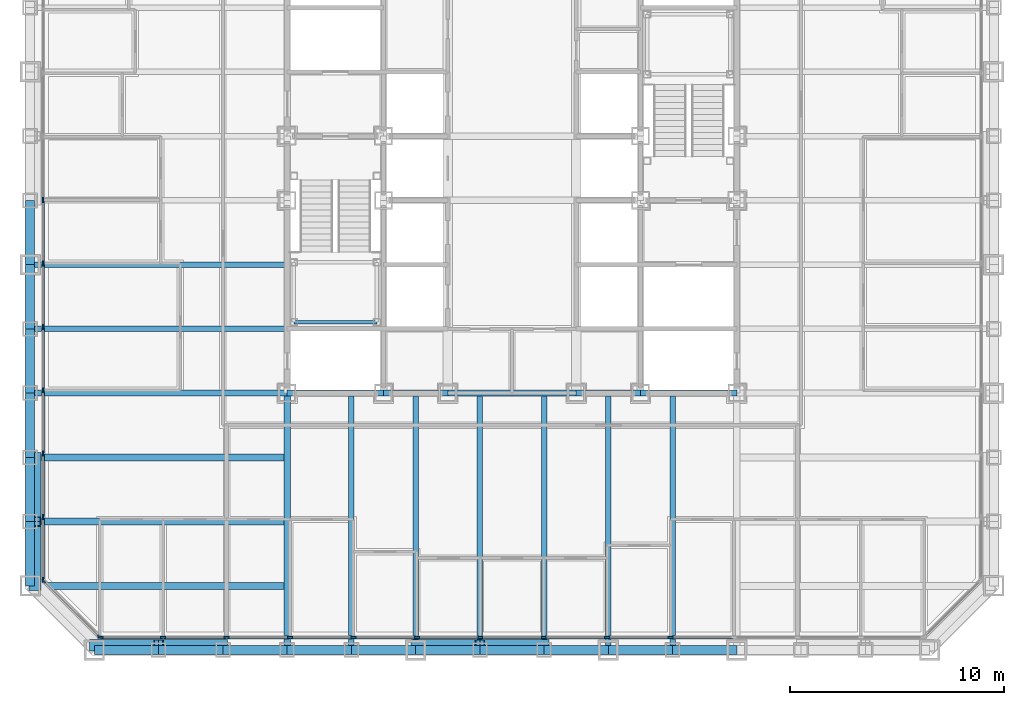
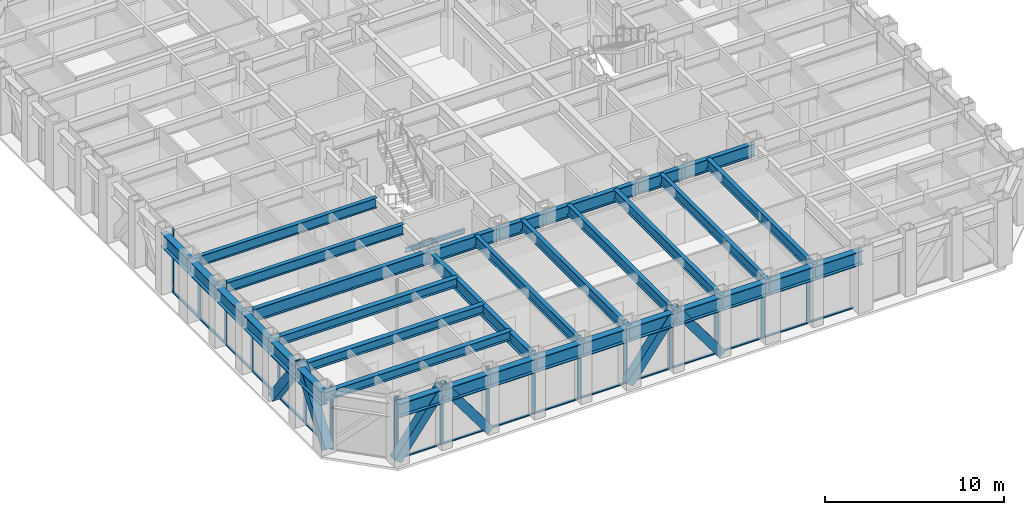
# One storey, part 2 of 16: 41 members, 35 beams, 3 elements without a shape of their own.
"""IFC4 building model written with IfcOpenShell, lengths in metres."""

from ifc_helpers import new_model, si_unit, direction, frame, origin, origin_2d, place, context, subcontext, project, spatial, rectangle, hollow_rectangle, i_section, extrude, material, layer, layer_set, material_profile, profile_set, type_object, element, aggregate, save


model = new_model("IFC4")

# Units and contexts
model_context = context("Model", 3, precision=1e-05, world=origin(), true_north=direction((0.0, 1.0)))
body_context = subcontext(model_context, "Body", "Model", "MODEL_VIEW")
ifc_project = project(units=[si_unit("LENGTHUNIT", "METRE"), si_unit("AREAUNIT", "SQUARE_METRE"), si_unit("VOLUMEUNIT", "CUBIC_METRE"), si_unit("PLANEANGLEUNIT", "RADIAN"), si_unit("MASSUNIT", "GRAM", prefix="KILO")], contexts=[model_context])

# Site, building, storey
site_placement = place(None, origin())
site = spatial("IfcSite", under=ifc_project, at=site_placement, CompositionType="ELEMENT")
building_placement = place(site_placement, origin())
building = spatial("IfcBuilding", under=site, at=building_placement, Name="Chuquiago Exchange Tower", CompositionType="ELEMENT")
storey_placement = place(building_placement, frame((0.0, 0.0, 82.800048828125)))
storey = spatial("IfcBuildingStorey", under=building, at=storey_placement, Name="L17", CompositionType="ELEMENT", Elevation=82.800048828125)

# Beams
ifc_material_1 = material(Name="Steel ASTM A992", Category="steel")
ifc_material_profile_1 = material_profile(ifc_material_1, i_section(OverallWidth=0.2919921875, OverallDepth=0.8583984375, WebThickness=0.01708984375, FlangeThickness=0.031005859375, at=origin_2d()), Name="W33X169")
ifc_profile_set_1 = profile_set([ifc_material_profile_1], Name="Steel ASTM A992")
beam_type_1 = type_object("IfcBeamType", Name="B3 W33X169", PredefinedType="BEAM", material=ifc_profile_set_1)
beam_1_placement = place(storey_placement, frame((12.0, 12.0, 3.610595703125), z_axis=(1.0, 0.0, 0.0), x_axis=(0.0, 1.0, 0.0)))
element("IfcBeam", 1, at=beam_1_placement, inside=storey, type_object=beam_type_1, Name="CB-L18-12_12-16.5_12", PredefinedType="BEAM", context=body_context, shape_type="SweptSolid", body=[
    extrude(i_section(OverallWidth=0.2919921875, OverallDepth=0.8583984375, WebThickness=0.01708984375, FlangeThickness=0.031005859375, at=origin_2d()), origin(), (0.0, 0.0, 1.0), 4.5),
])
beam_2_placement = place(storey_placement, frame((16.5, 12.0, 3.610595703125), z_axis=(1.0, 0.0, 0.0), x_axis=(0.0, 1.0, 0.0)))
element("IfcBeam", 2, at=beam_2_placement, inside=storey, type_object=beam_type_1, Name="CB-L18-16.5_12-19.5_12", PredefinedType="BEAM", context=body_context, shape_type="SweptSolid", body=[
    extrude(i_section(OverallWidth=0.2919921875, OverallDepth=0.8583984375, WebThickness=0.01708984375, FlangeThickness=0.031005859375, at=origin_2d()), origin(), (0.0, 0.0, 1.0), 3.0),
])
beam_3_placement = place(storey_placement, frame((19.5, 12.0, 3.610595703125), z_axis=(1.0, 0.0, 0.0), x_axis=(0.0, 1.0, 0.0)))
element("IfcBeam", 3, at=beam_3_placement, inside=storey, type_object=beam_type_1, Name="CB-L18-19.5_12-25.5_12", PredefinedType="BEAM", context=body_context, shape_type="SweptSolid", body=[
    extrude(i_section(OverallWidth=0.2919921875, OverallDepth=0.8583984375, WebThickness=0.01708984375, FlangeThickness=0.031005859375, at=origin_2d()), origin(), (0.0, 0.0, 1.0), 6.0),
])
beam_4_placement = place(storey_placement, frame((25.5, 12.0, 3.610595703125), z_axis=(1.0, 0.0, 0.0), x_axis=(0.0, 1.0, 0.0)))
element("IfcBeam", 4, at=beam_4_placement, inside=storey, type_object=beam_type_1, Name="CB-L18-25.5_12-28.5_12", PredefinedType="BEAM", context=body_context, shape_type="SweptSolid", body=[
    extrude(i_section(OverallWidth=0.2919921875, OverallDepth=0.8583984375, WebThickness=0.01708984375, FlangeThickness=0.031005859375, at=origin_2d()), origin(), (0.0, 0.0, 1.0), 3.0),
])
beam_5_placement = place(storey_placement, frame((28.5, 12.0, 3.610595703125), z_axis=(1.0, 0.0, 0.0), x_axis=(0.0, 1.0, 0.0)))
element("IfcBeam", 5, at=beam_5_placement, inside=storey, type_object=beam_type_1, Name="CB-L18-28.5_12-33_12", PredefinedType="BEAM", context=body_context, shape_type="SweptSolid", body=[
    extrude(i_section(OverallWidth=0.2919921875, OverallDepth=0.8583984375, WebThickness=0.01708984375, FlangeThickness=0.031005859375, at=origin_2d()), origin(), (0.0, 0.0, 1.0), 4.5),
])
ifc_material_2 = material(Name="Steel ASTM A992", Category="steel")
ifc_material_profile_2 = material_profile(ifc_material_2, i_section(OverallWidth=0.256591796875, OverallDepth=0.693359375, WebThickness=0.014404296875, FlangeThickness=0.023681640625, at=origin_2d()), Name="W27X114")
ifc_profile_set_2 = profile_set([ifc_material_profile_2], Name="Steel ASTM A992")
beam_type_2 = type_object("IfcBeamType", Name="B4 W27X114", PredefinedType="BEAM", material=ifc_profile_set_2)
for number, where, z_axis, x_axis, name in (
    (6, (15.0, 12.0, 3.693359375), (0.0, -1.0, 0.0), (1.0, 0.0, 0.0), "FB-L18-infill-15_12-15_-0-0"),
    (7, (18.0, 12.0, 3.693359375), (0.0, -1.0, 0.0), (1.0, 0.0, 0.0), "FB-L18-infill-18_12-18_-0-0"),
    (8, (21.0, 12.0, 3.693359375), (0.0, -1.0, 0.0), (1.0, 0.0, 0.0), "FB-L18-infill-21_12-21_-0-0"),
    (9, (24.0, 12.0, 3.693359375), (0.0, -1.0, 0.0), (1.0, 0.0, 0.0), "FB-L18-infill-24_12-24_-0-0"),
    (10, (27.0, 12.0, 3.693359375), (0.0, -1.0, 0.0), (1.0, 0.0, 0.0), "FB-L18-infill-27_12-27_-0-0"),
    (11, (30.0, 12.0, 3.693359375), (0.0, -1.0, 0.0), (1.0, 0.0, 0.0), "FB-L18-infill-30_12-30_-0-0"),
    (12, (12.0, 15.0, 3.693359375), (-1.0, 0.0, 0.0), (0.0, -1.0, 0.0), "FB-L18-infill-12_15--0_15-0"),
    (13, (12.0, 18.0, 3.693359375), (-1.0, 0.0, 0.0), (0.0, -1.0, 0.0), "FB-L18-infill-12_18--0_18-0"),
):
    element("IfcBeam", number, at=place(storey_placement, frame(where, z_axis=z_axis, x_axis=x_axis)), inside=storey, type_object=beam_type_2, Name=name, PredefinedType="BEAM", context=body_context, shape_type="SweptSolid", body=[
        extrude(i_section(OverallWidth=0.256591796875, OverallDepth=0.693359375, WebThickness=0.014404296875, FlangeThickness=0.023681640625, at=origin_2d()), origin(), (0.0, 0.0, 1.0), 12.0),
    ])
ifc_material_3 = material(Name="Steel ASTM A992", Category="steel")
ifc_material_profile_3 = material_profile(ifc_material_3, i_section(OverallWidth=0.3251953125, OverallDepth=0.6171875, WebThickness=0.013916015625, FlangeThickness=0.021484375, at=origin_2d()), Name="W24X117")
ifc_profile_set_3 = profile_set([ifc_material_profile_3], Name="Steel ASTM A992")
beam_type_3 = type_object("IfcBeamType", Name="B5 W24X117", PredefinedType="BEAM", material=ifc_profile_set_3)
for number, where, z_axis, x_axis, name in (
    (14, (12.0, 3.0, 3.7314453125), (-1.0, 0.0, 0.0), (0.0, -1.0, 0.0), "FB-L18-corner-12_3--0_3-0"),
    (15, (12.0, 6.0, 3.7314453125), (-1.0, 0.0, 0.0), (0.0, -1.0, 0.0), "FB-L18-corner-12_6--0_6-0"),
    (16, (12.0, 9.0, 3.7314453125), (-1.0, 0.0, 0.0), (0.0, -1.0, 0.0), "FB-L18-corner-12_9--0_9-0"),
):
    element("IfcBeam", number, at=place(storey_placement, frame(where, z_axis=z_axis, x_axis=x_axis)), inside=storey, type_object=beam_type_3, Name=name, PredefinedType="BEAM", context=body_context, shape_type="SweptSolid", body=[
        extrude(i_section(OverallWidth=0.3251953125, OverallDepth=0.6171875, WebThickness=0.013916015625, FlangeThickness=0.021484375, at=origin_2d()), origin(), (0.0, 0.0, 1.0), 12.0),
    ])

# Curtain wall, members
ifc_material_4 = material(Name="Aluminium curtain wall system", Category="aluminium")
ifc_layer_1 = layer(ifc_material_4, 0.25)
ifc_layer_set_1 = layer_set([ifc_layer_1], Name="CW1 trading floor curtain wall")
curtain_wall_type_1 = type_object("IfcCurtainWallType", Name="CW1 trading floor curtain wall", PredefinedType="NOTDEFINED", material=ifc_layer_set_1)
curtain_wall_1_placement = place(storey_placement, origin())
curtain_wall_1 = element("IfcCurtainWall", 17, at=curtain_wall_1_placement, inside=storey, type_object=curtain_wall_type_1, Name="CW1 curtain wall L17", PredefinedType="NOTDEFINED")
ifc_material_5 = material(Name="Aluminium mullion, pale anodised", Category="aluminium")
ifc_material_profile_4 = material_profile(ifc_material_5, rectangle(XDim=0.074951171875, YDim=0.25, at=origin_2d()), Name="AL 75x250")
ifc_profile_set_4 = profile_set([ifc_material_profile_4], Name="Aluminium mullion, pale anodised")
member_type_1 = type_object("IfcMemberType", Name="CW1-M mullion 75x250", PredefinedType="MULLION", material=ifc_profile_set_4)
member_1_placement = place(storey_placement, frame((3.285888671875, 0.60009765625, -0.300048828125), z_axis=(0.0, 0.0, 1.0), x_axis=(0.0, 1.0, 0.0)))
member_1 = element("IfcMember", 18, at=member_1_placement, type_object=member_type_1, Name="CW1 mullion 1", PredefinedType="MULLION", context=body_context, shape_type="SweptSolid", body=[
    extrude(rectangle(XDim=0.074951171875, YDim=0.25, at=origin_2d()), origin(), (0.0, 0.0, 1.0), 4.340087890625),
])
member_2_placement = place(storey_placement, frame((6.210205078125, 0.60009765625, -0.300048828125), z_axis=(0.0, 0.0, 1.0), x_axis=(0.0, 1.0, 0.0)))
member_2 = element("IfcMember", 19, at=member_2_placement, type_object=member_type_1, Name="CW1 mullion 2", PredefinedType="MULLION", context=body_context, shape_type="SweptSolid", body=[
    extrude(rectangle(XDim=0.074951171875, YDim=0.25, at=origin_2d()), origin(), (0.0, 0.0, 1.0), 4.340087890625),
])
member_3_placement = place(storey_placement, frame((9.172119140625, 0.60009765625, -0.300048828125), z_axis=(0.0, 0.0, 1.0), x_axis=(0.0, 1.0, 0.0)))
member_3 = element("IfcMember", 20, at=member_3_placement, type_object=member_type_1, Name="CW1 mullion 3", PredefinedType="MULLION", context=body_context, shape_type="SweptSolid", body=[
    extrude(rectangle(XDim=0.074951171875, YDim=0.25, at=origin_2d()), origin(), (0.0, 0.0, 1.0), 4.340087890625),
])
member_4_placement = place(storey_placement, frame((12.1337890625, 0.60009765625, -0.300048828125), z_axis=(0.0, 0.0, 1.0), x_axis=(0.0, 1.0, 0.0)))
member_4 = element("IfcMember", 21, at=member_4_placement, type_object=member_type_1, Name="CW1 mullion 4", PredefinedType="MULLION", context=body_context, shape_type="SweptSolid", body=[
    extrude(rectangle(XDim=0.074951171875, YDim=0.25, at=origin_2d()), origin(), (0.0, 0.0, 1.0), 4.340087890625),
])
member_5_placement = place(storey_placement, frame((15.095458984375, 0.60009765625, -0.300048828125), z_axis=(0.0, 0.0, 1.0), x_axis=(0.0, 1.0, 0.0)))
member_5 = element("IfcMember", 22, at=member_5_placement, type_object=member_type_1, Name="CW1 mullion 5", PredefinedType="MULLION", context=body_context, shape_type="SweptSolid", body=[
    extrude(rectangle(XDim=0.074951171875, YDim=0.25, at=origin_2d()), origin(), (0.0, 0.0, 1.0), 4.340087890625),
])
member_6_placement = place(storey_placement, frame((18.057373046875, 0.60009765625, -0.300048828125), z_axis=(0.0, 0.0, 1.0), x_axis=(0.0, 1.0, 0.0)))
member_6 = element("IfcMember", 23, at=member_6_placement, type_object=member_type_1, Name="CW1 mullion 6", PredefinedType="MULLION", context=body_context, shape_type="SweptSolid", body=[
    extrude(rectangle(XDim=0.074951171875, YDim=0.25, at=origin_2d()), origin(), (0.0, 0.0, 1.0), 4.340087890625),
])
member_7_placement = place(storey_placement, frame((21.01904296875, 0.60009765625, -0.300048828125), z_axis=(0.0, 0.0, 1.0), x_axis=(0.0, 1.0, 0.0)))
member_7 = element("IfcMember", 24, at=member_7_placement, type_object=member_type_1, Name="CW1 mullion 7", PredefinedType="MULLION", context=body_context, shape_type="SweptSolid", body=[
    extrude(rectangle(XDim=0.074951171875, YDim=0.25, at=origin_2d()), origin(), (0.0, 0.0, 1.0), 4.340087890625),
])
member_8_placement = place(storey_placement, frame((23.98095703125, 0.60009765625, -0.300048828125), z_axis=(0.0, 0.0, 1.0), x_axis=(0.0, 1.0, 0.0)))
member_8 = element("IfcMember", 25, at=member_8_placement, type_object=member_type_1, Name="CW1 mullion 8", PredefinedType="MULLION", context=body_context, shape_type="SweptSolid", body=[
    extrude(rectangle(XDim=0.074951171875, YDim=0.25, at=origin_2d()), origin(), (0.0, 0.0, 1.0), 4.340087890625),
])
member_9_placement = place(storey_placement, frame((26.942626953125, 0.60009765625, -0.300048828125), z_axis=(0.0, 0.0, 1.0), x_axis=(0.0, 1.0, 0.0)))
member_9 = element("IfcMember", 26, at=member_9_placement, type_object=member_type_1, Name="CW1 mullion 9", PredefinedType="MULLION", context=body_context, shape_type="SweptSolid", body=[
    extrude(rectangle(XDim=0.074951171875, YDim=0.25, at=origin_2d()), origin(), (0.0, 0.0, 1.0), 4.340087890625),
])
member_10_placement = place(storey_placement, frame((29.904541015625, 0.60009765625, -0.300048828125), z_axis=(0.0, 0.0, 1.0), x_axis=(0.0, 1.0, 0.0)))
member_10 = element("IfcMember", 27, at=member_10_placement, type_object=member_type_1, Name="CW1 mullion 10", PredefinedType="MULLION", context=body_context, shape_type="SweptSolid", body=[
    extrude(rectangle(XDim=0.074951171875, YDim=0.25, at=origin_2d()), origin(), (0.0, 0.0, 1.0), 4.340087890625),
])

curtain_wall_2_placement = place(storey_placement, origin())
curtain_wall_2 = element("IfcCurtainWall", 28, at=curtain_wall_2_placement, inside=storey, type_object=curtain_wall_type_1, Name="CW1 curtain wall L17", PredefinedType="NOTDEFINED")
member_11_placement = place(storey_placement, frame((0.60009765625, 21.01904296875, -0.300048828125), z_axis=(0.0, 0.0, 1.0), x_axis=(1.0, 0.0, 0.0)))
member_11 = element("IfcMember", 29, at=member_11_placement, type_object=member_type_1, Name="CW1 mullion 8", PredefinedType="MULLION", context=body_context, shape_type="SweptSolid", body=[
    extrude(rectangle(XDim=0.074951171875, YDim=0.25, at=origin_2d()), origin(), (0.0, 0.0, 1.0), 4.340087890625),
])
member_12_placement = place(storey_placement, frame((0.60009765625, 18.057373046875, -0.300048828125), z_axis=(0.0, 0.0, 1.0), x_axis=(1.0, 0.0, 0.0)))
member_12 = element("IfcMember", 30, at=member_12_placement, type_object=member_type_1, Name="CW1 mullion 9", PredefinedType="MULLION", context=body_context, shape_type="SweptSolid", body=[
    extrude(rectangle(XDim=0.074951171875, YDim=0.25, at=origin_2d()), origin(), (0.0, 0.0, 1.0), 4.340087890625),
])
member_13_placement = place(storey_placement, frame((0.60009765625, 15.095458984375, -0.300048828125), z_axis=(0.0, 0.0, 1.0), x_axis=(1.0, 0.0, 0.0)))
member_13 = element("IfcMember", 31, at=member_13_placement, type_object=member_type_1, Name="CW1 mullion 10", PredefinedType="MULLION", context=body_context, shape_type="SweptSolid", body=[
    extrude(rectangle(XDim=0.074951171875, YDim=0.25, at=origin_2d()), origin(), (0.0, 0.0, 1.0), 4.340087890625),
])
member_14_placement = place(storey_placement, frame((0.60009765625, 12.1337890625, -0.300048828125), z_axis=(0.0, 0.0, 1.0), x_axis=(1.0, 0.0, 0.0)))
member_14 = element("IfcMember", 32, at=member_14_placement, type_object=member_type_1, Name="CW1 mullion 11", PredefinedType="MULLION", context=body_context, shape_type="SweptSolid", body=[
    extrude(rectangle(XDim=0.074951171875, YDim=0.25, at=origin_2d()), origin(), (0.0, 0.0, 1.0), 4.340087890625),
])
member_15_placement = place(storey_placement, frame((0.60009765625, 9.172119140625, -0.300048828125), z_axis=(0.0, 0.0, 1.0), x_axis=(1.0, 0.0, 0.0)))
member_15 = element("IfcMember", 33, at=member_15_placement, type_object=member_type_1, Name="CW1 mullion 12", PredefinedType="MULLION", context=body_context, shape_type="SweptSolid", body=[
    extrude(rectangle(XDim=0.074951171875, YDim=0.25, at=origin_2d()), origin(), (0.0, 0.0, 1.0), 4.340087890625),
])
member_16_placement = place(storey_placement, frame((0.60009765625, 6.210205078125, -0.300048828125), z_axis=(0.0, 0.0, 1.0), x_axis=(1.0, 0.0, 0.0)))
member_16 = element("IfcMember", 34, at=member_16_placement, type_object=member_type_1, Name="CW1 mullion 13", PredefinedType="MULLION", context=body_context, shape_type="SweptSolid", body=[
    extrude(rectangle(XDim=0.074951171875, YDim=0.25, at=origin_2d()), origin(), (0.0, 0.0, 1.0), 4.340087890625),
])
member_17_placement = place(storey_placement, frame((0.60009765625, 3.285888671875, -0.300048828125), z_axis=(0.0, 0.0, 1.0), x_axis=(1.0, 0.0, 0.0)))
member_17 = element("IfcMember", 35, at=member_17_placement, type_object=member_type_1, Name="CW1 mullion 14", PredefinedType="MULLION", context=body_context, shape_type="SweptSolid", body=[
    extrude(rectangle(XDim=0.074951171875, YDim=0.25, at=origin_2d()), origin(), (0.0, 0.0, 1.0), 4.340087890625),
])

# Member
ifc_material_6 = material(Name="Aluminium transom, pale anodised", Category="aluminium")
ifc_material_profile_5 = material_profile(ifc_material_6, rectangle(XDim=0.14990234375, YDim=0.074951171875, at=origin_2d()), Name="AL 150x75")
ifc_profile_set_5 = profile_set([ifc_material_profile_5], Name="Aluminium transom, pale anodised")
member_type_2 = type_object("IfcMemberType", Name="CW1-T transom 75x150", PredefinedType="MULLION", material=ifc_profile_set_5)
member_18_placement = place(storey_placement, frame((3.323486328125, 0.60009765625, -0.262451171875), z_axis=(1.0, 0.0, 0.0), x_axis=(0.0, 1.0, 0.0)))
member_18 = element("IfcMember", 36, at=member_18_placement, type_object=member_type_2, Name="CW1 transom 1.1", PredefinedType="MULLION", context=body_context, shape_type="SweptSolid", body=[
    extrude(rectangle(XDim=0.14990234375, YDim=0.074951171875, at=origin_2d()), origin(), (0.0, 0.0, 1.0), 2.849365234375),
])

member_19_placement = place(storey_placement, frame((6.247802734375, 0.60009765625, -0.262451171875), z_axis=(1.0, 0.0, 0.0), x_axis=(0.0, 1.0, 0.0)))
member_19 = element("IfcMember", 37, at=member_19_placement, type_object=member_type_2, Name="CW1 transom 2.1", PredefinedType="MULLION", context=body_context, shape_type="SweptSolid", body=[
    extrude(rectangle(XDim=0.14990234375, YDim=0.074951171875, at=origin_2d()), origin(), (0.0, 0.0, 1.0), 2.88671875),
])

member_20_placement = place(storey_placement, frame((9.20947265625, 0.60009765625, -0.262451171875), z_axis=(1.0, 0.0, 0.0), x_axis=(0.0, 1.0, 0.0)))
member_20 = element("IfcMember", 38, at=member_20_placement, type_object=member_type_2, Name="CW1 transom 3.1", PredefinedType="MULLION", context=body_context, shape_type="SweptSolid", body=[
    extrude(rectangle(XDim=0.14990234375, YDim=0.074951171875, at=origin_2d()), origin(), (0.0, 0.0, 1.0), 2.88671875),
])

member_21_placement = place(storey_placement, frame((12.17138671875, 0.60009765625, -0.262451171875), z_axis=(1.0, 0.0, 0.0), x_axis=(0.0, 1.0, 0.0)))
member_21 = element("IfcMember", 39, at=member_21_placement, type_object=member_type_2, Name="CW1 transom 4.1", PredefinedType="MULLION", context=body_context, shape_type="SweptSolid", body=[
    extrude(rectangle(XDim=0.14990234375, YDim=0.074951171875, at=origin_2d()), origin(), (0.0, 0.0, 1.0), 2.88671875),
])

member_22_placement = place(storey_placement, frame((15.133056640625, 0.60009765625, -0.262451171875), z_axis=(1.0, 0.0, 0.0), x_axis=(0.0, 1.0, 0.0)))
member_22 = element("IfcMember", 40, at=member_22_placement, type_object=member_type_2, Name="CW1 transom 5.1", PredefinedType="MULLION", context=body_context, shape_type="SweptSolid", body=[
    extrude(rectangle(XDim=0.14990234375, YDim=0.074951171875, at=origin_2d()), origin(), (0.0, 0.0, 1.0), 2.88671875),
])

member_23_placement = place(storey_placement, frame((18.0947265625, 0.60009765625, -0.262451171875), z_axis=(1.0, 0.0, 0.0), x_axis=(0.0, 1.0, 0.0)))
member_23 = element("IfcMember", 41, at=member_23_placement, type_object=member_type_2, Name="CW1 transom 6.1", PredefinedType="MULLION", context=body_context, shape_type="SweptSolid", body=[
    extrude(rectangle(XDim=0.14990234375, YDim=0.074951171875, at=origin_2d()), origin(), (0.0, 0.0, 1.0), 2.886962890625),
])

member_24_placement = place(storey_placement, frame((21.056640625, 0.60009765625, -0.262451171875), z_axis=(1.0, 0.0, 0.0), x_axis=(0.0, 1.0, 0.0)))
member_24 = element("IfcMember", 42, at=member_24_placement, type_object=member_type_2, Name="CW1 transom 7.1", PredefinedType="MULLION", context=body_context, shape_type="SweptSolid", body=[
    extrude(rectangle(XDim=0.14990234375, YDim=0.074951171875, at=origin_2d()), origin(), (0.0, 0.0, 1.0), 2.88671875),
])

member_25_placement = place(storey_placement, frame((24.018310546875, 0.60009765625, -0.262451171875), z_axis=(1.0, 0.0, 0.0), x_axis=(0.0, 1.0, 0.0)))
member_25 = element("IfcMember", 43, at=member_25_placement, type_object=member_type_2, Name="CW1 transom 8.1", PredefinedType="MULLION", context=body_context, shape_type="SweptSolid", body=[
    extrude(rectangle(XDim=0.14990234375, YDim=0.074951171875, at=origin_2d()), origin(), (0.0, 0.0, 1.0), 2.886962890625),
])

member_26_placement = place(storey_placement, frame((26.980224609375, 0.60009765625, -0.262451171875), z_axis=(1.0, 0.0, 0.0), x_axis=(0.0, 1.0, 0.0)))
member_26 = element("IfcMember", 44, at=member_26_placement, type_object=member_type_2, Name="CW1 transom 9.1", PredefinedType="MULLION", context=body_context, shape_type="SweptSolid", body=[
    extrude(rectangle(XDim=0.14990234375, YDim=0.074951171875, at=origin_2d()), origin(), (0.0, 0.0, 1.0), 2.88671875),
])

member_27_placement = place(storey_placement, frame((29.94189453125, 0.60009765625, -0.262451171875), z_axis=(1.0, 0.0, 0.0), x_axis=(0.0, 1.0, 0.0)))
member_27 = element("IfcMember", 45, at=member_27_placement, type_object=member_type_2, Name="CW1 transom 10.1", PredefinedType="MULLION", context=body_context, shape_type="SweptSolid", body=[
    extrude(rectangle(XDim=0.14990234375, YDim=0.074951171875, at=origin_2d()), origin(), (0.0, 0.0, 1.0), 2.88671875),
])

aggregate(curtain_wall_1, [member_1, member_2, member_3, member_4, member_5, member_6, member_7, member_8, member_9, member_10, member_18, member_19, member_20, member_21, member_22, member_23, member_24, member_25, member_26, member_27])

member_28_placement = place(storey_placement, frame((0.60009765625, 20.981689453125, -0.262451171875), z_axis=(0.0, -1.0, 0.0), x_axis=(1.0, 0.0, 0.0)))
member_28 = element("IfcMember", 46, at=member_28_placement, type_object=member_type_2, Name="CW1 transom 8.1", PredefinedType="MULLION", context=body_context, shape_type="SweptSolid", body=[
    extrude(rectangle(XDim=0.14990234375, YDim=0.074951171875, at=origin_2d()), origin(), (0.0, 0.0, 1.0), 2.886962890625),
])

member_29_placement = place(storey_placement, frame((0.60009765625, 18.019775390625, -0.262451171875), z_axis=(0.0, -1.0, 0.0), x_axis=(1.0, 0.0, 0.0)))
member_29 = element("IfcMember", 47, at=member_29_placement, type_object=member_type_2, Name="CW1 transom 9.1", PredefinedType="MULLION", context=body_context, shape_type="SweptSolid", body=[
    extrude(rectangle(XDim=0.14990234375, YDim=0.074951171875, at=origin_2d()), origin(), (0.0, 0.0, 1.0), 2.88671875),
])

member_30_placement = place(storey_placement, frame((0.60009765625, 15.05810546875, -0.262451171875), z_axis=(0.0, -1.0, 0.0), x_axis=(1.0, 0.0, 0.0)))
member_30 = element("IfcMember", 48, at=member_30_placement, type_object=member_type_2, Name="CW1 transom 10.1", PredefinedType="MULLION", context=body_context, shape_type="SweptSolid", body=[
    extrude(rectangle(XDim=0.14990234375, YDim=0.074951171875, at=origin_2d()), origin(), (0.0, 0.0, 1.0), 2.88671875),
])

member_31_placement = place(storey_placement, frame((0.60009765625, 12.09619140625, -0.262451171875), z_axis=(0.0, -1.0, 0.0), x_axis=(1.0, 0.0, 0.0)))
member_31 = element("IfcMember", 49, at=member_31_placement, type_object=member_type_2, Name="CW1 transom 11.1", PredefinedType="MULLION", context=body_context, shape_type="SweptSolid", body=[
    extrude(rectangle(XDim=0.14990234375, YDim=0.074951171875, at=origin_2d()), origin(), (0.0, 0.0, 1.0), 2.88671875),
])

member_32_placement = place(storey_placement, frame((0.60009765625, 9.134521484375, -0.262451171875), z_axis=(0.0, -1.0, 0.0), x_axis=(1.0, 0.0, 0.0)))
member_32 = element("IfcMember", 50, at=member_32_placement, type_object=member_type_2, Name="CW1 transom 12.1", PredefinedType="MULLION", context=body_context, shape_type="SweptSolid", body=[
    extrude(rectangle(XDim=0.14990234375, YDim=0.074951171875, at=origin_2d()), origin(), (0.0, 0.0, 1.0), 2.88671875),
])

member_33_placement = place(storey_placement, frame((0.60009765625, 6.1728515625, -0.262451171875), z_axis=(0.0, -1.0, 0.0), x_axis=(1.0, 0.0, 0.0)))
member_33 = element("IfcMember", 51, at=member_33_placement, type_object=member_type_2, Name="CW1 transom 13.1", PredefinedType="MULLION", context=body_context, shape_type="SweptSolid", body=[
    extrude(rectangle(XDim=0.14990234375, YDim=0.074951171875, at=origin_2d()), origin(), (0.0, 0.0, 1.0), 2.849365234375),
])

aggregate(curtain_wall_2, [member_11, member_12, member_13, member_14, member_15, member_16, member_17, member_28, member_29, member_30, member_31, member_32, member_33])

# Curtain wall, members
ifc_material_7 = material(Name="Aluminium curtain wall system", Category="aluminium")
ifc_layer_2 = layer(ifc_material_7, 0.199951171875)
ifc_layer_set_2 = layer_set([ifc_layer_2], Name="CW3 facet curtain wall")
curtain_wall_type_2 = type_object("IfcCurtainWallType", Name="CW3 facet curtain wall", PredefinedType="NOTDEFINED", material=ifc_layer_set_2)
curtain_wall_3_placement = place(storey_placement, origin())
curtain_wall_3 = element("IfcCurtainWall", 52, at=curtain_wall_3_placement, inside=storey, type_object=curtain_wall_type_2, Name="CW3 curtain wall L17", PredefinedType="NOTDEFINED")
ifc_material_8 = material(Name="Aluminium mullion, pale anodised", Category="aluminium")
ifc_material_profile_6 = material_profile(ifc_material_8, rectangle(XDim=0.06494140625, YDim=0.199951171875, at=origin_2d()), Name="AL 65x200")
ifc_profile_set_6 = profile_set([ifc_material_profile_6], Name="Aluminium mullion, pale anodised")
member_type_3 = type_object("IfcMemberType", Name="CW3-M mullion 65x200", PredefinedType="MULLION", material=ifc_profile_set_6)
member_34_placement = place(storey_placement, frame((0.623046875, 3.2255859375, -0.300048828125), z_axis=(0.0, 0.0, 1.0), x_axis=(0.707106781187, 0.707106781187, 0.0)))
member_34 = element("IfcMember", 53, at=member_34_placement, type_object=member_type_3, Name="CW3 mullion 1", PredefinedType="MULLION", context=body_context, shape_type="SweptSolid", body=[
    extrude(rectangle(XDim=0.06494140625, YDim=0.199951171875, at=origin_2d()), origin(), (0.0, 0.0, 1.0), 4.340087890625),
])
member_35_placement = place(storey_placement, frame((3.2255859375, 0.623046875, -0.300048828125), z_axis=(0.0, 0.0, 1.0), x_axis=(0.707106781187, 0.707106781187, 0.0)))
member_35 = element("IfcMember", 54, at=member_35_placement, type_object=member_type_3, Name="CW3 mullion 2", PredefinedType="MULLION", context=body_context, shape_type="SweptSolid", body=[
    extrude(rectangle(XDim=0.06494140625, YDim=0.199951171875, at=origin_2d()), origin(), (0.0, 0.0, 1.0), 4.340087890625),
])
aggregate(curtain_wall_3, [member_34, member_35])

# Beams
ifc_material_9 = material(Name="Steel ASTM A992", Category="steel")
ifc_material_profile_7 = material_profile(ifc_material_9, i_section(OverallWidth=0.2919921875, OverallDepth=0.8583984375, WebThickness=0.01708984375, FlangeThickness=0.031005859375, at=origin_2d()), Name="W33X169")
ifc_profile_set_7 = profile_set([ifc_material_profile_7], Name="Steel ASTM A992")
beam_type_4 = type_object("IfcBeamType", Name="G2 W33X169", PredefinedType="BEAM", material=ifc_profile_set_7)
for number, where, z_axis, x_axis, name in (
    (55, (12.0, 12.0, 3.610595703125), (0.0, -1.0, 0.0), (1.0, 0.0, 0.0), "FB-L18-girder-12_12-12_-0-0"),
    (56, (12.0, 12.0, 3.610595703125), (-1.0, 0.0, 0.0), (0.0, -1.0, 0.0), "FB-L18-girder-12_12--0_12-0"),
):
    element("IfcBeam", number, at=place(storey_placement, frame(where, z_axis=z_axis, x_axis=x_axis)), inside=storey, type_object=beam_type_4, Name=name, PredefinedType="BEAM", context=body_context, shape_type="SweptSolid", body=[
        extrude(i_section(OverallWidth=0.2919921875, OverallDepth=0.8583984375, WebThickness=0.01708984375, FlangeThickness=0.031005859375, at=origin_2d()), origin(), (0.0, 0.0, 1.0), 12.0),
    ])
ifc_material_10 = material(Name="Steel ASTM A992", Category="steel")
ifc_material_profile_8 = material_profile(ifc_material_10, i_section(OverallWidth=0.164794921875, OverallDepth=0.309814453125, WebThickness=0.005859375, FlangeThickness=0.009765625, at=origin_2d()), Name="W12X26")
ifc_profile_set_8 = profile_set([ifc_material_profile_8], Name="Steel ASTM A992")
beam_type_5 = type_object("IfcBeamType", Name="LT1 W12X26", PredefinedType="BEAM", material=ifc_profile_set_8)
beam_6_placement = place(storey_placement, frame((12.31005859375, 15.31005859375, 1.89501953125), z_axis=(1.0, 0.0, 0.0), x_axis=(0.0, 1.0, 0.0)))
element("IfcBeam", 57, at=beam_6_placement, inside=storey, type_object=beam_type_5, Name="Stair ST1 L17 landing 1 trimmer", PredefinedType="BEAM", context=body_context, shape_type="SweptSolid", body=[
    extrude(i_section(OverallWidth=0.164794921875, OverallDepth=0.309814453125, WebThickness=0.005859375, FlangeThickness=0.009765625, at=origin_2d()), origin(), (0.0, 0.0, 1.0), 3.8798828125),
])

# Members
ifc_material_11 = material(Name="Steel ASTM A572 Grade 50", Category="steel")
ifc_material_profile_9 = material_profile(ifc_material_11, hollow_rectangle(XDim=0.550048828125, YDim=0.550048828125, WallThickness=0.044921875, at=origin_2d()), Name="BOX550X550X45")
ifc_profile_set_9 = profile_set([ifc_material_profile_9], Name="Steel ASTM A572 Grade 50")
member_type_4 = type_object("IfcMemberType", Name="MB1 BOX550X550X45", PredefinedType="BRACE", material=ifc_profile_set_9)
for number, where, z_axis, x_axis, name in (
    (58, (3.0, 0.22998046875, 0.0), (0.596173923302, 0.0, 0.802855312728), (0.0, 1.0, 0.0), "Mega diagonal L17 S face"),
    (59, (9.0, 0.22998046875, 0.0), (-0.596173923302, 0.0, 0.802855312728), (0.0, -1.0, 0.0), "Mega diagonal L17 S face"),
    (60, (18.0, 0.22998046875, 0.0), (0.596173923302, 0.0, 0.802855312728), (0.0, 1.0, 0.0), "Mega diagonal L17 S face"),
    (61, (24.0, 0.22998046875, 0.0), (-0.596173923302, 0.0, 0.802855312728), (0.0, -1.0, 0.0), "Mega diagonal L17 S face"),
    (62, (0.22998046875, 9.0, 0.0), (0.0, -0.596173923302, 0.802855312728), (1.0, 0.0, 0.0), "Mega diagonal L17 W face"),
    (63, (0.22998046875, 3.0, 0.0), (0.0, 0.596173923302, 0.802855312728), (-1.0, 0.0, 0.0), "Mega diagonal L17 W face"),
):
    element("IfcMember", number, at=place(storey_placement, frame(where, z_axis=z_axis, x_axis=x_axis)), inside=storey, type_object=member_type_4, Name=name, PredefinedType="BRACE", context=body_context, shape_type="SweptSolid", body=[
        extrude(hollow_rectangle(XDim=0.550048828125, YDim=0.550048828125, WallThickness=0.044921875, at=origin_2d()), origin(), (0.0, 0.0, 1.0), 5.031982421875),
    ])

# Beams
ifc_material_12 = material(Name="Steel ASTM A992", Category="steel")
ifc_material_profile_10 = material_profile(ifc_material_12, i_section(OverallWidth=0.424072265625, OverallDepth=0.947509765625, WebThickness=0.02392578125, FlangeThickness=0.042724609375, at=origin_2d()), Name="W36X302")
ifc_profile_set_10 = profile_set([ifc_material_profile_10], Name="Steel ASTM A992")
beam_type_6 = type_object("IfcBeamType", Name="SP1 W36X302", PredefinedType="SPANDREL", material=ifc_profile_set_10)
for number, where, z_axis, x_axis, name in (
    (64, (3.0, 0.0, 3.566162109375), (1.0, 0.0, 0.0), (0.0, 1.0, 0.0), "SPB-L18-3_0-6_0"),
    (65, (6.0, 0.0, 3.566162109375), (1.0, 0.0, 0.0), (0.0, 1.0, 0.0), "SPB-L18-6_0-9_0"),
    (66, (9.0, 0.0, 3.566162109375), (1.0, 0.0, 0.0), (0.0, 1.0, 0.0), "SPB-L18-9_0-12_0"),
    (67, (12.0, 0.0, 3.566162109375), (1.0, 0.0, 0.0), (0.0, 1.0, 0.0), "SPB-L18-12_0-15_0"),
    (68, (15.0, 0.0, 3.566162109375), (1.0, 0.0, 0.0), (0.0, 1.0, 0.0), "SPB-L18-15_0-18_0"),
    (69, (18.0, 0.0, 3.566162109375), (1.0, 0.0, 0.0), (0.0, 1.0, 0.0), "SPB-L18-18_0-21_0"),
    (70, (21.0, 0.0, 3.566162109375), (1.0, 0.0, 0.0), (0.0, 1.0, 0.0), "SPB-L18-21_0-24_0"),
    (71, (24.0, 0.0, 3.566162109375), (1.0, 0.0, 0.0), (0.0, 1.0, 0.0), "SPB-L18-24_0-27_0"),
    (72, (27.0, 0.0, 3.566162109375), (1.0, 0.0, 0.0), (0.0, 1.0, 0.0), "SPB-L18-27_0-30_0"),
    (73, (30.0, 0.0, 3.566162109375), (1.0, 0.0, 0.0), (0.0, 1.0, 0.0), "SPB-L18-30_0-33_0"),
    (74, (0.0, 21.0, 3.566162109375), (0.0, -1.0, 0.0), (1.0, 0.0, 0.0), "SPB-L18-0_21-0_18"),
    (75, (0.0, 18.0, 3.566162109375), (0.0, -1.0, 0.0), (1.0, 0.0, 0.0), "SPB-L18-0_18-0_15"),
    (76, (0.0, 15.0, 3.566162109375), (0.0, -1.0, 0.0), (1.0, 0.0, 0.0), "SPB-L18-0_15-0_12"),
    (77, (0.0, 12.0, 3.566162109375), (0.0, -1.0, 0.0), (1.0, 0.0, 0.0), "SPB-L18-0_12-0_9"),
    (78, (0.0, 9.0, 3.566162109375), (0.0, -1.0, 0.0), (1.0, 0.0, 0.0), "SPB-L18-0_9-0_6"),
    (79, (0.0, 6.0, 3.566162109375), (0.0, -1.0, 0.0), (1.0, 0.0, 0.0), "SPB-L18-0_6-0_3"),
):
    element("IfcBeam", number, at=place(storey_placement, frame(where, z_axis=z_axis, x_axis=x_axis)), inside=storey, type_object=beam_type_6, Name=name, PredefinedType="SPANDREL", context=body_context, shape_type="SweptSolid", body=[
        extrude(i_section(OverallWidth=0.424072265625, OverallDepth=0.947509765625, WebThickness=0.02392578125, FlangeThickness=0.042724609375, at=origin_2d()), origin(), (0.0, 0.0, 1.0), 3.0),
    ])

save(model, "model.ifc")
